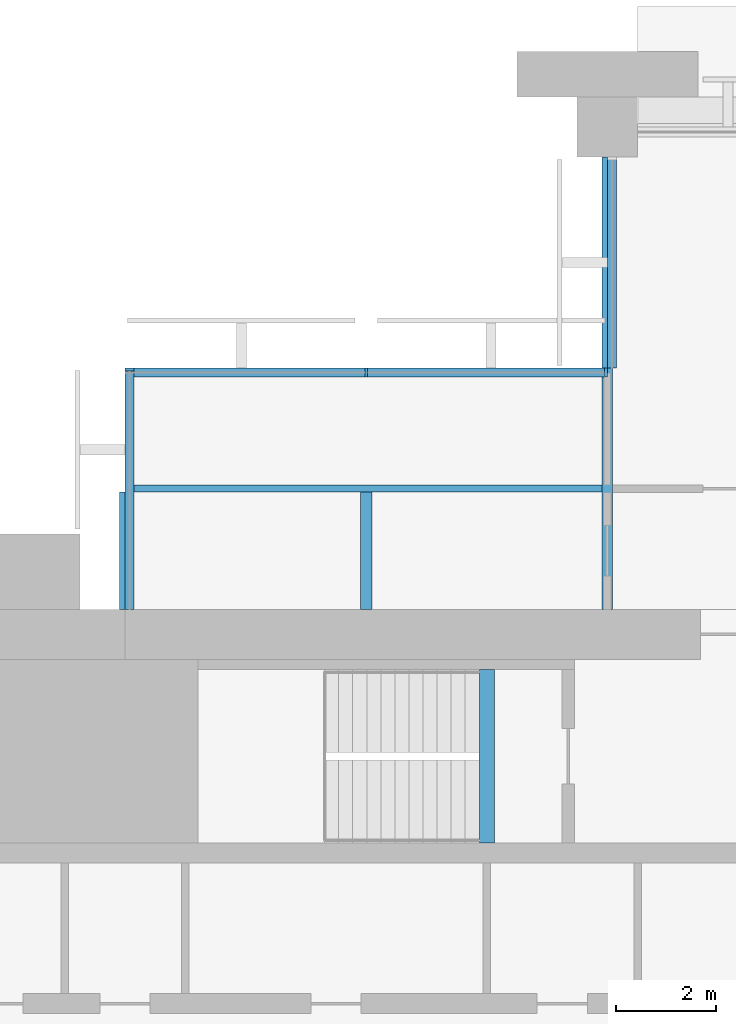
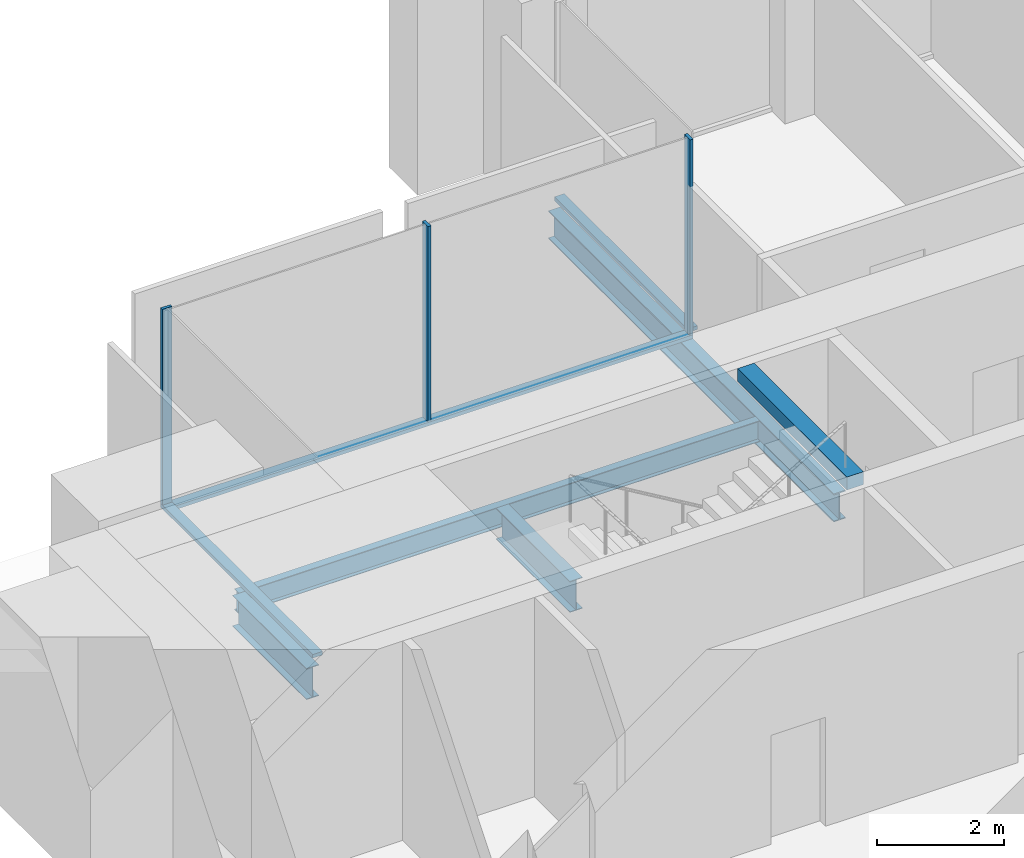
# One storey, part 5 of 15: 6 members, 5 beams, 3 elements without a shape of their own.
"""IFC4 building model written with IfcOpenShell, lengths in metres."""

from ifc_helpers import new_model, si_unit, direction, frame, origin, origin_2d, place, context, subcontext, project, spatial, rectangle, i_section, extrude, material, material_profile, profile_set, type_object, element, aggregate, save


model = new_model("IFC4")

# Units and contexts
model_context = context("Model", 3, precision=1e-05, world=origin(), true_north=direction((0.0, 1.0)))
body_context = subcontext(model_context, "Body", "Model", "MODEL_VIEW")
ifc_project = project(units=[si_unit("LENGTHUNIT", "METRE"), si_unit("AREAUNIT", "SQUARE_METRE"), si_unit("VOLUMEUNIT", "CUBIC_METRE"), si_unit("PLANEANGLEUNIT", "RADIAN"), si_unit("MASSUNIT", "GRAM", prefix="KILO")], contexts=[model_context])

# Site, building, storey
site_placement = place(None, origin())
site = spatial("IfcSite", under=ifc_project, at=site_placement, CompositionType="ELEMENT")
building_placement = place(site_placement, origin())
building = spatial("IfcBuilding", under=site, at=building_placement, Name="Baori Bourse Tower", CompositionType="ELEMENT")
storey_placement = place(building_placement, frame((0.0, 0.0, 152.10009765625)))
storey = spatial("IfcBuildingStorey", under=building, at=storey_placement, Name="L33", CompositionType="ELEMENT", Elevation=152.10009765625)

# Curtain wall, members
ifc_material_1 = material(Name="Pale anodised aluminium", Category="aluminium")
curtain_wall_type = type_object("IfcCurtainWallType", Name="CW2 Curtain wall", PredefinedType="NOTDEFINED", material=ifc_material_1)
curtain_wall_1_placement = place(storey_placement, origin())
curtain_wall_1 = element("IfcCurtainWall", 1, at=curtain_wall_1_placement, inside=storey, type_object=curtain_wall_type, Name="Curtain wall CW2 L33 8", PredefinedType="NOTDEFINED")
ifc_material_2 = material(Name="Pale anodised aluminium", Category="aluminium")
ifc_material_profile_1 = material_profile(ifc_material_2, rectangle(XDim=0.179931640625, YDim=0.054931640625, at=origin_2d()), Name="Mullion 55x180")
ifc_profile_set_1 = profile_set([ifc_material_profile_1], Name="Pale anodised aluminium")
member_type_1 = type_object("IfcMemberType", Name="CW2 Curtain wall mullion", PredefinedType="MULLION", material=ifc_profile_set_1)
member_1_placement = place(storey_placement, frame((14.37255859375, 43.110107421875, 0.06982421875), z_axis=(0.0, 0.0, 1.0), x_axis=(0.0, -1.0, 0.0)))
member_1 = element("IfcMember", 2, at=member_1_placement, type_object=member_type_1, Name="Curtain wall CW2 mullion", PredefinedType="MULLION", context=body_context, shape_type="SweptSolid", body=[
    extrude(rectangle(XDim=0.179931640625, YDim=0.054931640625, at=origin_2d()), origin(), (0.0, 0.0, 1.0), 3.77001953125),
])
member_2_placement = place(storey_placement, frame((9.60009765625, 43.110107421875, 0.06982421875), z_axis=(0.0, 0.0, 1.0), x_axis=(0.0, -1.0, 0.0)))
member_2 = element("IfcMember", 3, at=member_2_placement, type_object=member_type_1, Name="Curtain wall CW2 mullion", PredefinedType="MULLION", context=body_context, shape_type="SweptSolid", body=[
    extrude(rectangle(XDim=0.179931640625, YDim=0.054931640625, at=origin_2d()), origin(), (0.0, 0.0, 1.0), 3.77001953125),
])

# Curtain wall, member
curtain_wall_2_placement = place(storey_placement, origin())
curtain_wall_2 = element("IfcCurtainWall", 4, at=curtain_wall_2_placement, inside=storey, type_object=curtain_wall_type, Name="Curtain wall CW2 L33 9", PredefinedType="NOTDEFINED")
member_3_placement = place(storey_placement, frame((4.889892578125, 43.172607421875, 0.06982421875), z_axis=(0.0, 0.0, 1.0), x_axis=(1.0, 0.0, 0.0)))
member_3 = element("IfcMember", 5, at=member_3_placement, type_object=member_type_1, Name="Curtain wall CW2 mullion", PredefinedType="MULLION", context=body_context, shape_type="SweptSolid", body=[
    extrude(rectangle(XDim=0.179931640625, YDim=0.054931640625, at=origin_2d()), origin(), (0.0, 0.0, 1.0), 3.77001953125),
])

curtain_wall_3_placement = place(storey_placement, origin())
curtain_wall_3 = element("IfcCurtainWall", 6, at=curtain_wall_3_placement, inside=storey, type_object=curtain_wall_type, Name="Curtain wall CW2 L33 7", PredefinedType="NOTDEFINED")
ifc_material_3 = material(Name="Pale anodised aluminium", Category="aluminium")
ifc_material_profile_2 = material_profile(ifc_material_3, rectangle(XDim=0.179931640625, YDim=0.070068359375, at=origin_2d()), Name="Transom 70x180")
ifc_profile_set_2 = profile_set([ifc_material_profile_2], Name="Pale anodised aluminium")
member_type_2 = type_object("IfcMemberType", Name="CW2 Curtain wall transom", PredefinedType="USERDEFINED", material=ifc_profile_set_2)
member_4_placement = place(storey_placement, frame((14.489990234375, 47.39990234375, 0.034912109375), z_axis=(0.0, -1.0, 0.0), x_axis=(1.0, 0.0, 0.0)))
member_4 = element("IfcMember", 7, at=member_4_placement, type_object=member_type_2, Name="Curtain wall CW2 sill rail", ObjectType="TRANSOM", PredefinedType="USERDEFINED", context=body_context, shape_type="SweptSolid", body=[
    extrude(rectangle(XDim=0.179931640625, YDim=0.070068359375, at=origin_2d()), origin(), (0.0, 0.0, 1.0), 4.199951171875),
])
aggregate(curtain_wall_3, [member_4])

# Member
member_5_placement = place(storey_placement, frame((14.39990234375, 43.110107421875, 0.034912109375), z_axis=(-1.0, 0.0, 0.0), x_axis=(0.0, -1.0, 0.0)))
member_5 = element("IfcMember", 8, at=member_5_placement, type_object=member_type_2, Name="Curtain wall CW2 sill rail", ObjectType="TRANSOM", PredefinedType="USERDEFINED", context=body_context, shape_type="SweptSolid", body=[
    extrude(rectangle(XDim=0.179931640625, YDim=0.070068359375, at=origin_2d()), origin(), (0.0, 0.0, 1.0), 9.599853515625),
])

aggregate(curtain_wall_1, [member_5, member_1, member_2])

member_6_placement = place(storey_placement, frame((4.889892578125, 43.199951171875, 0.034912109375), z_axis=(0.0, -1.0, 0.0), x_axis=(1.0, 0.0, 0.0)))
member_6 = element("IfcMember", 9, at=member_6_placement, type_object=member_type_2, Name="Curtain wall CW2 sill rail", ObjectType="TRANSOM", PredefinedType="USERDEFINED", context=body_context, shape_type="SweptSolid", body=[
    extrude(rectangle(XDim=0.179931640625, YDim=0.070068359375, at=origin_2d()), origin(), (0.0, 0.0, 1.0), 4.800048828125),
])

aggregate(curtain_wall_2, [member_6, member_3])

# Beams
ifc_material_4 = material(Name="Steel A992 Gr 50", Category="steel")
ifc_material_profile_3 = material_profile(ifc_material_4, i_section(OverallWidth=0.227783203125, OverallDepth=0.60205078125, WebThickness=0.010498046875, FlangeThickness=0.014892578125, at=origin_2d()), Name="W24x68")
ifc_profile_set_3 = profile_set([ifc_material_profile_3], Name="Steel A992 Gr 50")
beam_type_1 = type_object("IfcBeamType", Name="Core bracket W24x68", PredefinedType="BEAM", material=ifc_profile_set_3)
for number, where, z_axis, x_axis, name in (
    (10, (4.800048828125, 38.39990234375, -0.461181640625), (0.0, 1.0, 0.0), (-1.0, 0.0, 0.0), "Core bracket L33"),
    (11, (9.60009765625, 38.39990234375, -0.461181640625), (0.0, 1.0, 0.0), (-1.0, 0.0, 0.0), "Core bracket L33"),
):
    element("IfcBeam", number, at=place(storey_placement, frame(where, z_axis=z_axis, x_axis=x_axis)), inside=storey, type_object=beam_type_1, Name=name, PredefinedType="BEAM", context=body_context, shape_type="SweptSolid", body=[
        extrude(i_section(OverallWidth=0.227783203125, OverallDepth=0.60205078125, WebThickness=0.010498046875, FlangeThickness=0.014892578125, at=origin_2d()), origin(), (0.0, 0.0, 1.0), 2.329833984375),
    ])
ifc_material_5 = material(Name="Steel A992 Gr 50", Category="steel")
ifc_material_profile_4 = material_profile(ifc_material_5, i_section(OverallWidth=0.21240234375, OverallDepth=0.54345703125, WebThickness=0.01318359375, FlangeThickness=0.021240234375, at=origin_2d()), Name="W21x83")
ifc_profile_set_4 = profile_set([ifc_material_profile_4], Name="Steel A992 Gr 50")
beam_type_2 = type_object("IfcBeamType", Name="Floor beam W21x83", PredefinedType="BEAM", material=ifc_profile_set_4)
beam_1_placement = place(storey_placement, frame((14.39990234375, 38.39990234375, -0.431884765625), z_axis=(0.0, 1.0, 0.0), x_axis=(-1.0, 0.0, 0.0)))
element("IfcBeam", 12, at=beam_1_placement, inside=storey, type_object=beam_type_2, Name="Floor beam L33", PredefinedType="BEAM", context=body_context, shape_type="SweptSolid", body=[
    extrude(i_section(OverallWidth=0.21240234375, OverallDepth=0.54345703125, WebThickness=0.01318359375, FlangeThickness=0.021240234375, at=origin_2d()), origin(), (0.0, 0.0, 1.0), 9.0),
])
ifc_material_6 = material(Name="Concrete f'c 50 MPa", Category="concrete")
ifc_material_profile_5 = material_profile(ifc_material_6, rectangle(XDim=0.300048828125, YDim=0.25, at=origin_2d()), Name="RC 300x250")
ifc_profile_set_5 = profile_set([ifc_material_profile_5], Name="Concrete f'c 50 MPa")
beam_type_3 = type_object("IfcBeamType", Name="Stair nib beam RC 300x250", PredefinedType="BEAM", material=ifc_profile_set_5)
beam_2_placement = place(storey_placement, frame((12.0, 33.75, 3.71484375), z_axis=(0.0, 1.0, 0.0), x_axis=(-1.0, 0.0, 0.0)))
element("IfcBeam", 13, at=beam_2_placement, inside=storey, type_object=beam_type_3, Name="Stair WB nib beam L34", PredefinedType="BEAM", context=body_context, shape_type="SweptSolid", body=[
    extrude(rectangle(XDim=0.300048828125, YDim=0.25, at=origin_2d()), origin(), (0.0, 0.0, 1.0), 3.449951171875),
])
ifc_material_7 = material(Name="Steel A992 Gr 50", Category="steel")
ifc_material_profile_6 = material_profile(ifc_material_7, i_section(OverallWidth=0.140380859375, OverallDepth=0.40380859375, WebThickness=0.007080078125, FlangeThickness=0.01123046875, at=origin_2d()), Name="W16x31")
ifc_profile_set_6 = profile_set([ifc_material_profile_6], Name="Steel A992 Gr 50")
beam_type_4 = type_object("IfcBeamType", Name="Trimmer beam W16x31", PredefinedType="BEAM", material=ifc_profile_set_6)
beam_3_placement = place(storey_placement, frame((4.800048828125, 40.800048828125, -0.362060546875), z_axis=(1.0, 0.0, 0.0), x_axis=(0.0, 1.0, 0.0)))
element("IfcBeam", 14, at=beam_3_placement, inside=storey, type_object=beam_type_4, Name="Trimmer beam L33", PredefinedType="BEAM", context=body_context, shape_type="SweptSolid", body=[
    extrude(i_section(OverallWidth=0.140380859375, OverallDepth=0.40380859375, WebThickness=0.007080078125, FlangeThickness=0.01123046875, at=origin_2d()), origin(), (0.0, 0.0, 1.0), 9.493896484375),
])

save(model, "model.ifc")
